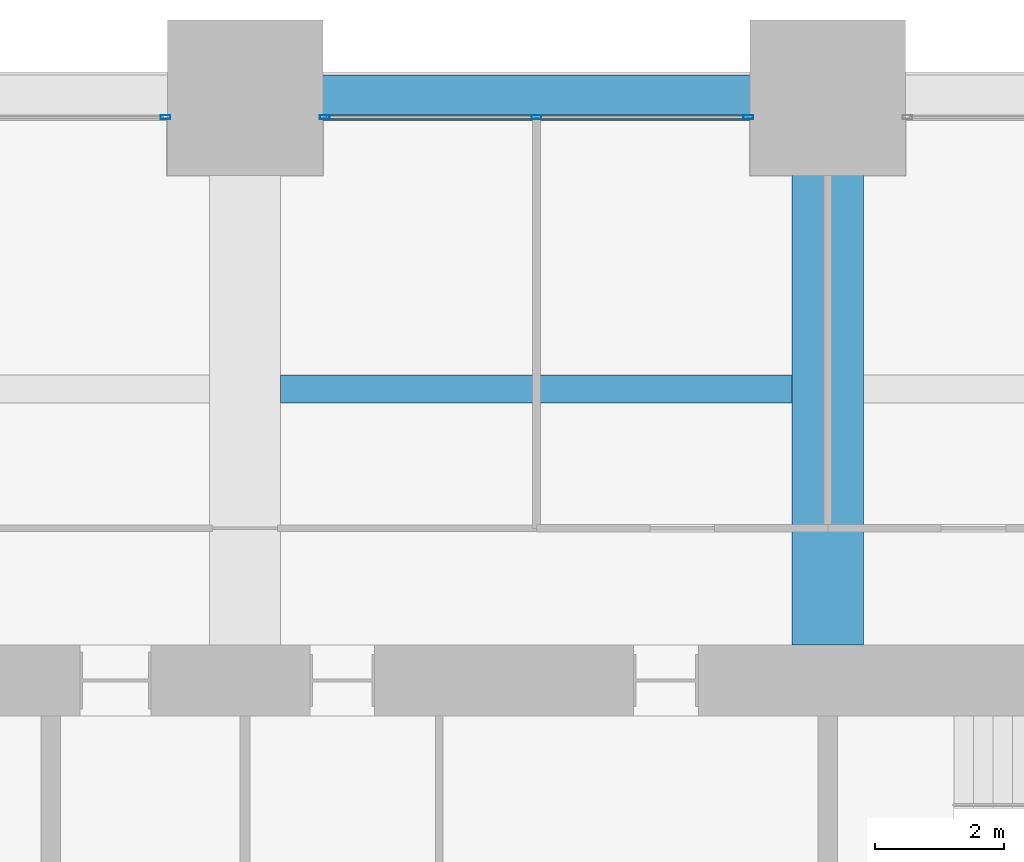
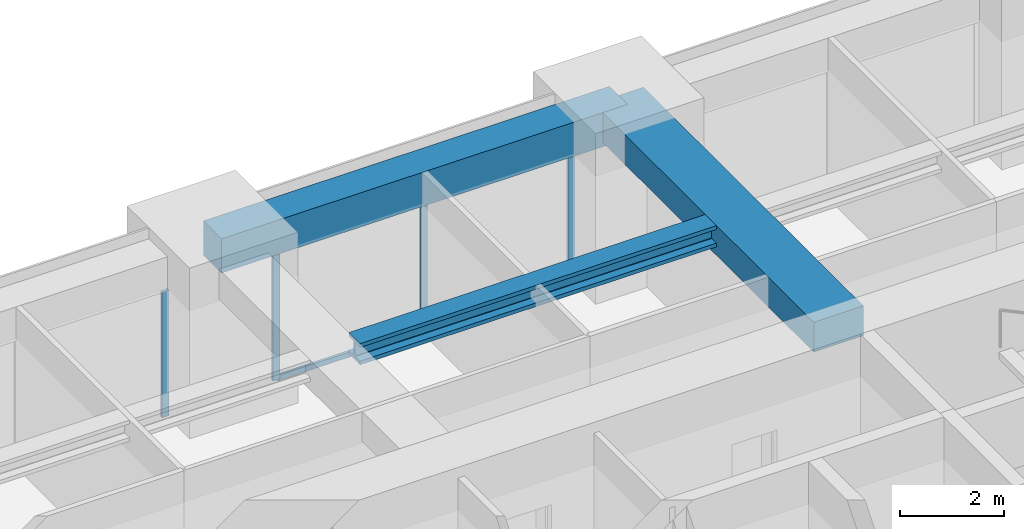
# One storey, part 25 of 33: 5 members, 3 beams, 2 elements without a shape of their own.
"""IFC4 building model written with IfcOpenShell, lengths in metres."""

import ifcopenshell
import ifcopenshell.guid

model = None  # the IFC model being written
_history = None  # IfcOwnerHistory: only IFC2X3 demands one
_inside = {}  # id of a spatial element -> (the spatial element, [elements in it])
_under = {}  # id of a project, library or spatial element -> (it, [spatial elements below it])
_declared = {}  # id of a project -> (the project, [libraries it declares])
_typed = {}  # id of a type object -> (the type object, [elements of that type])
_made_of = {}  # id of a material, layer set ... -> (it, [elements and type objects made of it])


def new_model(schema):
    """Start an empty IFC model of exactly this schema.

    Asked for "IFC4X3", IfcOpenShell would pick the latest addendum, in which some entities
    have other attributes; the version numbers below select the first issue.
    IFC2X3 requires an IfcOwnerHistory on every rooted entity: one is made here for all.
    """
    global model, _history
    if schema == "IFC4X3":
        model = ifcopenshell.file(schema_version=(4, 3, 0, 0))
    else:
        model = ifcopenshell.file(schema=schema)
    _inside.clear()
    _under.clear()
    _declared.clear()
    _typed.clear()
    _made_of.clear()
    _history = None
    if model.schema == "IFC2X3":
        org = make("IfcOrganization", Name="unknown")
        user = make(
            "IfcPersonAndOrganization",
            ThePerson=make("IfcPerson", FamilyName="unknown"),
            TheOrganization=org,
        )
        app = make(
            "IfcApplication",
            ApplicationDeveloper=org,
            Version="unknown",
            ApplicationFullName="unknown",
            ApplicationIdentifier="unknown",
        )
        _history = make(
            "IfcOwnerHistory",
            OwningUser=user,
            OwningApplication=app,
            ChangeAction="ADDED",
            CreationDate=0,
        )
    return model


def make(cls, **values):
    """One entity of the class cls with the attributes given. An attribute that is None is left unset."""
    return model.create_entity(
        cls, **{name: value for name, value in values.items() if value is not None}
    )


def rooted(cls, **values):
    """An entity with a GlobalId (a new one), such as an element, a storey or a relation."""
    return make(cls, GlobalId=ifcopenshell.guid.new(), OwnerHistory=_history, **values)


def si_unit(unit_type, name, prefix=None):
    """IfcSIUnit, for example si_unit("LENGTHUNIT", "METRE", prefix="MILLI")."""
    return make("IfcSIUnit", UnitType=unit_type, Prefix=prefix, Name=name)


def assignment(units):
    """IfcUnitAssignment: the units of a project."""
    return None if units is None else make("IfcUnitAssignment", Units=units)


def point(xyz):
    """IfcCartesianPoint."""
    return None if xyz is None else make("IfcCartesianPoint", Coordinates=xyz)


def direction(xyz):
    """IfcDirection."""
    return None if xyz is None else make("IfcDirection", DirectionRatios=xyz)


def frame(location, z_axis=None, x_axis=None):
    """IfcAxis2Placement3D, a coordinate frame: its origin and axes. An axis left out is left unset."""
    return make(
        "IfcAxis2Placement3D",
        Location=point(location),
        Axis=direction(z_axis),
        RefDirection=direction(x_axis),
    )


def frame_2d(location, x_axis=None):
    """IfcAxis2Placement2D, a coordinate frame in the plane: its origin and x axis."""
    return make(
        "IfcAxis2Placement2D", Location=point(location), RefDirection=direction(x_axis)
    )


def origin():
    """The frame at (0, 0, 0) with its axes left unset."""
    return frame((0.0, 0.0, 0.0))


def origin_2d():
    """The frame at (0, 0) in the plane with its x axis left unset."""
    return frame_2d((0.0, 0.0))


def place(relative_to, where):
    """IfcLocalPlacement: puts the frame where relative to a parent placement (None: the world)."""
    return make(
        "IfcLocalPlacement", PlacementRelTo=relative_to, RelativePlacement=where
    )


def context(
    kind, dimensions, precision=None, world=None, true_north=None, identifier=None
):
    """IfcGeometricRepresentationContext, for example the 3D "Model" context."""
    return make(
        "IfcGeometricRepresentationContext",
        ContextIdentifier=identifier,
        ContextType=kind,
        CoordinateSpaceDimension=dimensions,
        Precision=precision,
        WorldCoordinateSystem=world,
        TrueNorth=true_north,
    )


def subcontext(parent, identifier, kind, view, scale=None):
    """IfcGeometricRepresentationSubContext, for example "Body" below "Model"."""
    return make(
        "IfcGeometricRepresentationSubContext",
        ContextIdentifier=identifier,
        ContextType=kind,
        ParentContext=parent,
        TargetScale=scale,
        TargetView=view,
    )


def project(units=None, contexts=None):
    """IfcProject with its units and contexts."""
    return rooted(
        "IfcProject",
        Name="project",
        RepresentationContexts=contexts,
        UnitsInContext=assignment(units),
    )


def spatial(cls, under=None, at=None, **own):
    """A site, building, storey or space (cls), placed at a placement, below another one or the project."""
    s = rooted(cls, ObjectPlacement=at, **own)
    if under is not None:
        _under.setdefault(under.id(), (under, []))[1].append(s)
    return s


def profile(cls, at=None, kind="AREA", **sizes):
    """A parametric profile (cls). Its sizes go by their IFC names, for example OverallWidth=200.0."""
    return make(cls, ProfileType=kind, Position=at, **sizes)


def rectangle(**sizes):
    """IfcRectangleProfileDef."""
    return profile("IfcRectangleProfileDef", **sizes)


def hollow_rectangle(**sizes):
    """IfcRectangleHollowProfileDef."""
    return profile("IfcRectangleHollowProfileDef", **sizes)


def i_section(**sizes):
    """IfcIShapeProfileDef."""
    return profile("IfcIShapeProfileDef", **sizes)


def extrude(swept, where, along, depth):
    """IfcExtrudedAreaSolid: the profile swept, set in the frame where, extruded along a direction by depth."""
    return make(
        "IfcExtrudedAreaSolid",
        SweptArea=swept,
        Position=where,
        ExtrudedDirection=direction(along),
        Depth=depth,
    )


def shape(context_of_items, identifier, shape_type, items):
    """IfcShapeRepresentation: the items that make up one representation, for example the "Body"."""
    return make(
        "IfcShapeRepresentation",
        ContextOfItems=context_of_items,
        RepresentationIdentifier=identifier,
        RepresentationType=shape_type,
        Items=items,
    )


def material(Name=None, Category=None):
    """IfcMaterial."""
    return make("IfcMaterial", Name=Name, Category=Category)


def material_profile(
    of_material, cross_section, Name=None, Category=None, Priority=None
):
    """IfcMaterialProfile: a cross section and its material."""
    return make(
        "IfcMaterialProfile",
        Name=Name,
        Material=of_material,
        Profile=cross_section,
        Priority=Priority,
        Category=Category,
    )


def profile_set(profiles, Name=None, composite=None):
    """IfcMaterialProfileSet."""
    return make(
        "IfcMaterialProfileSet",
        Name=Name,
        MaterialProfiles=profiles,
        CompositeProfile=composite,
    )


def made_of(thing, what):
    """Note that an element or type object is made of a material, layer set ...; save() writes the relation."""
    if what is not None:
        _made_of.setdefault(what.id(), (what, []))[1].append(thing)
    return thing


def type_object(cls, material=None, **own):
    """A type object (cls), such as IfcWallType, which elements share."""
    return made_of(rooted(cls, **own), material)


def element(
    cls,
    number,
    at=None,
    inside=None,
    cuts=None,
    type_object=None,
    material=None,
    context=None,
    identifier="Body",
    shape_type=None,
    held_by="IfcProductDefinitionShape",
    body=None,
    shapes=None,
    **own,
):
    """One element of the class cls, such as IfcWall. Its Tag is "e" and its number.

    at: its placement. inside: the storey or other place that contains it. cuts: it is an
    opening in that element (IfcRelVoidsElement). A single representation is given by context,
    identifier, shape_type and body (its items); several are given by shapes. held_by: the class
    of the entity that holds the representations. save() writes the other relations.
    """
    e = rooted(cls, Tag="e%d" % number, ObjectPlacement=at, **own)
    if body is not None:
        shapes = [shape(context, identifier, shape_type, body)]
    if shapes is not None:
        e.Representation = make(held_by, Representations=shapes)
    if inside is not None:
        _inside.setdefault(inside.id(), (inside, []))[1].append(e)
    if cuts is not None:
        rooted(
            "IfcRelVoidsElement", RelatingBuildingElement=cuts, RelatedOpeningElement=e
        )
    if type_object is not None:
        _typed.setdefault(type_object.id(), (type_object, []))[1].append(e)
    return made_of(e, material)


def aggregate(whole, parts):
    """IfcRelAggregates: a whole, such as a stair, and the parts it consists of."""
    return rooted("IfcRelAggregates", RelatingObject=whole, RelatedObjects=parts)


def save(model, path):
    """Write the relations noted so far, then the file.

    IfcRelAggregates (storeys below a building ...), IfcRelContainedInSpatialStructure (elements
    in a storey), IfcRelDefinesByType, IfcRelAssociatesMaterial and IfcRelDeclares: one each for
    every whole, place, type object, material and project.
    """
    for whole, parts in _under.values():
        aggregate(whole, parts)
    for where, things in _inside.values():
        rooted(
            "IfcRelContainedInSpatialStructure",
            RelatedElements=things,
            RelatingStructure=where,
        )
    for kind, things in _typed.values():
        rooted("IfcRelDefinesByType", RelatedObjects=things, RelatingType=kind)
    for what, things in _made_of.values():
        rooted("IfcRelAssociatesMaterial", RelatedObjects=things, RelatingMaterial=what)
    for by, libraries in _declared.values():
        rooted("IfcRelDeclares", RelatingContext=by, RelatedDefinitions=libraries)
    model.write(path)


model = new_model("IFC4")

# Units and contexts
model_context = context("Model", 3, precision=1e-05, world=origin(), true_north=direction((0.0, 1.0)))
body_context = subcontext(model_context, "Body", "Model", "MODEL_VIEW")
ifc_project = project(units=[si_unit("LENGTHUNIT", "METRE"), si_unit("AREAUNIT", "SQUARE_METRE"), si_unit("VOLUMEUNIT", "CUBIC_METRE"), si_unit("PLANEANGLEUNIT", "RADIAN"), si_unit("MASSUNIT", "GRAM", prefix="KILO")], contexts=[model_context])

# Site, building, storey
site_placement = place(None, origin())
site = spatial("IfcSite", under=ifc_project, at=site_placement, CompositionType="ELEMENT")
building_placement = place(site_placement, origin())
building = spatial("IfcBuilding", under=site, at=building_placement, Name="Zorevar Civic Tower", CompositionType="ELEMENT")
storey_placement = place(building_placement, frame((0.0, 0.0, 210.199951171875)))
storey = spatial("IfcBuildingStorey", under=building, at=storey_placement, Name="L51", CompositionType="ELEMENT", Elevation=210.199951171875)

# Beam
ifc_material_1 = material(Name="Concrete C50/60", Category="concrete")
ifc_material_profile_1 = material_profile(ifc_material_1, rectangle(XDim=1.10009765625, YDim=0.699951171875, at=origin_2d()), Name="RC 1100x700")
ifc_profile_set_1 = profile_set([ifc_material_profile_1], Name="Concrete C50/60")
beam_type_1 = type_object("IfcBeamType", Name="Beam RC 1100x700", PredefinedType="BEAM", material=ifc_profile_set_1)
beam_1_placement = place(storey_placement, frame((36.0, 36.550048828125, 3.400146484375), z_axis=(0.0, 1.0, 0.0), x_axis=(-1.0, 0.0, 0.0)))
element("IfcBeam", 1, at=beam_1_placement, inside=storey, type_object=beam_type_1, Name="Girder L52", PredefinedType="BEAM", context=body_context, shape_type="SweptSolid", body=[
    extrude(rectangle(XDim=1.10009765625, YDim=0.699951171875, at=origin_2d()), origin(), (0.0, 0.0, 1.0), 8.449951171875),
])

# Curtain wall, member
ifc_material_2 = material(Name="Dark grey solar-control glass in black aluminium frame", Category="aluminium")
curtain_wall_type = type_object("IfcCurtainWallType", Name="Curtain wall CW4 high zone", PredefinedType="NOTDEFINED", material=ifc_material_2)
curtain_wall_1_placement = place(storey_placement, origin())
curtain_wall_1 = element("IfcCurtainWall", 2, at=curtain_wall_1_placement, inside=storey, type_object=curtain_wall_type, Name="CW4 L51", PredefinedType="NOTDEFINED")
ifc_material_3 = material(Name="Aluminium, black anodised", Category="aluminium")
ifc_material_profile_2 = material_profile(ifc_material_3, hollow_rectangle(XDim=0.06005859375, YDim=0.14990234375, WallThickness=0.00390625, at=origin_2d()), Name="AL 150x60x4")
ifc_profile_set_2 = profile_set([ifc_material_profile_2], Name="Aluminium, black anodised")
member_type_1 = type_object("IfcMemberType", Name="CW4 mullion AL 150x60x4", PredefinedType="MULLION", material=ifc_profile_set_2)
member_1_placement = place(storey_placement, frame((25.77001953125, 44.699951171875, 0.0), z_axis=(0.0, 0.0, 1.0), x_axis=(0.0, 1.0, 0.0)))
member_1 = element("IfcMember", 3, at=member_1_placement, type_object=member_type_1, Name="CW4 mullion 3", PredefinedType="MULLION", context=body_context, shape_type="SweptSolid", body=[
    extrude(hollow_rectangle(XDim=0.06005859375, YDim=0.14990234375, WallThickness=0.00390625, at=origin_2d()), origin(), (0.0, 0.0, 1.0), 2.949951171875),
])
aggregate(curtain_wall_1, [member_1])

# Curtain wall, members
curtain_wall_2_placement = place(storey_placement, origin())
curtain_wall_2 = element("IfcCurtainWall", 4, at=curtain_wall_2_placement, inside=storey, type_object=curtain_wall_type, Name="CW4 L51", PredefinedType="NOTDEFINED")
member_2_placement = place(storey_placement, frame((28.22998046875, 44.699951171875, 0.0), z_axis=(0.0, 0.0, 1.0), x_axis=(0.0, 1.0, 0.0)))
member_2 = element("IfcMember", 5, at=member_2_placement, type_object=member_type_1, Name="CW4 mullion 1", PredefinedType="MULLION", context=body_context, shape_type="SweptSolid", body=[
    extrude(hollow_rectangle(XDim=0.06005859375, YDim=0.14990234375, WallThickness=0.00390625, at=origin_2d()), origin(), (0.0, 0.0, 1.0), 2.949951171875),
])
member_3_placement = place(storey_placement, frame((31.5, 44.699951171875, 0.06005859375), z_axis=(0.0, 0.0, 1.0), x_axis=(0.0, 1.0, 0.0)))
member_3 = element("IfcMember", 6, at=member_3_placement, type_object=member_type_1, Name="CW4 mullion 2", PredefinedType="MULLION", context=body_context, shape_type="SweptSolid", body=[
    extrude(hollow_rectangle(XDim=0.06005859375, YDim=0.14990234375, WallThickness=0.00390625, at=origin_2d()), origin(), (0.0, 0.0, 1.0), 2.889892578125),
])
member_4_placement = place(storey_placement, frame((34.77001953125, 44.699951171875, 0.0), z_axis=(0.0, 0.0, 1.0), x_axis=(0.0, 1.0, 0.0)))
member_4 = element("IfcMember", 7, at=member_4_placement, type_object=member_type_1, Name="CW4 mullion 3", PredefinedType="MULLION", context=body_context, shape_type="SweptSolid", body=[
    extrude(hollow_rectangle(XDim=0.06005859375, YDim=0.14990234375, WallThickness=0.00390625, at=origin_2d()), origin(), (0.0, 0.0, 1.0), 2.949951171875),
])
ifc_material_4 = material(Name="Aluminium, black anodised", Category="aluminium")
ifc_material_profile_3 = material_profile(ifc_material_4, hollow_rectangle(XDim=0.06005859375, YDim=0.1201171875, WallThickness=0.0029296875, at=origin_2d()), Name="AL 120x60x3")
ifc_profile_set_3 = profile_set([ifc_material_profile_3], Name="Aluminium, black anodised")
member_type_2 = type_object("IfcMemberType", Name="CW4 transom AL 120x60x3", PredefinedType="USERDEFINED", material=ifc_profile_set_3)
member_5_placement = place(storey_placement, frame((28.260009765625, 44.699951171875, 0.030029296875), z_axis=(1.0, 0.0, 0.0), x_axis=(0.0, 1.0, 0.0)))
member_5 = element("IfcMember", 8, at=member_5_placement, type_object=member_type_2, Name="CW4 sill transom", ObjectType="TRANSOM", PredefinedType="USERDEFINED", context=body_context, shape_type="SweptSolid", body=[
    extrude(hollow_rectangle(XDim=0.06005859375, YDim=0.1201171875, WallThickness=0.0029296875, at=origin_2d()), origin(), (0.0, 0.0, 1.0), 6.47998046875),
])
aggregate(curtain_wall_2, [member_2, member_3, member_4, member_5])

# Beams
ifc_material_5 = material(Name="Steel S460M (HISTAR 460)", Category="steel")
ifc_material_profile_4 = material_profile(ifc_material_5, i_section(OverallWidth=0.431884765625, OverallDepth=0.498046875, WebThickness=0.0556640625, FlangeThickness=0.0888671875, FilletRadius=0.014892578125, at=origin_2d()), Name="HD 400x744")
ifc_profile_set_4 = profile_set([ifc_material_profile_4], Name="Steel S460M (HISTAR 460)")
beam_type_2 = type_object("IfcBeamType", Name="Core bay beam HD 400x744", PredefinedType="BEAM", material=ifc_profile_set_4)
beam_2_placement = place(storey_placement, frame((27.550048828125, 40.5, 3.5009765625), z_axis=(1.0, 0.0, 0.0), x_axis=(0.0, 1.0, 0.0)))
element("IfcBeam", 9, at=beam_2_placement, inside=storey, type_object=beam_type_2, Name="Secondary beam L52", PredefinedType="BEAM", context=body_context, shape_type="SweptSolid", body=[
    extrude(i_section(OverallWidth=0.431884765625, OverallDepth=0.498046875, WebThickness=0.0556640625, FlangeThickness=0.0888671875, FilletRadius=0.014892578125, at=origin_2d()), origin(), (0.0, 0.0, 1.0), 7.89990234375),
])
ifc_material_6 = material(Name="Concrete C50/60", Category="concrete")
ifc_material_profile_5 = material_profile(ifc_material_6, rectangle(XDim=0.699951171875, YDim=0.800048828125, at=origin_2d()), Name="RC 700x800")
ifc_profile_set_5 = profile_set([ifc_material_profile_5], Name="Concrete C50/60")
beam_type_3 = type_object("IfcBeamType", Name="Edge beam RC 700x800", PredefinedType="SPANDREL", material=ifc_profile_set_5)
beam_3_placement = place(storey_placement, frame((27.0, 45.0, 3.35009765625), z_axis=(1.0, 0.0, 0.0), x_axis=(0.0, 1.0, 0.0)))
element("IfcBeam", 10, at=beam_3_placement, inside=storey, type_object=beam_type_3, Name="Edge beam L52", PredefinedType="SPANDREL", context=body_context, shape_type="SweptSolid", body=[
    extrude(rectangle(XDim=0.699951171875, YDim=0.800048828125, at=origin_2d()), origin(), (0.0, 0.0, 1.0), 9.0),
])

save(model, "model.ifc")
